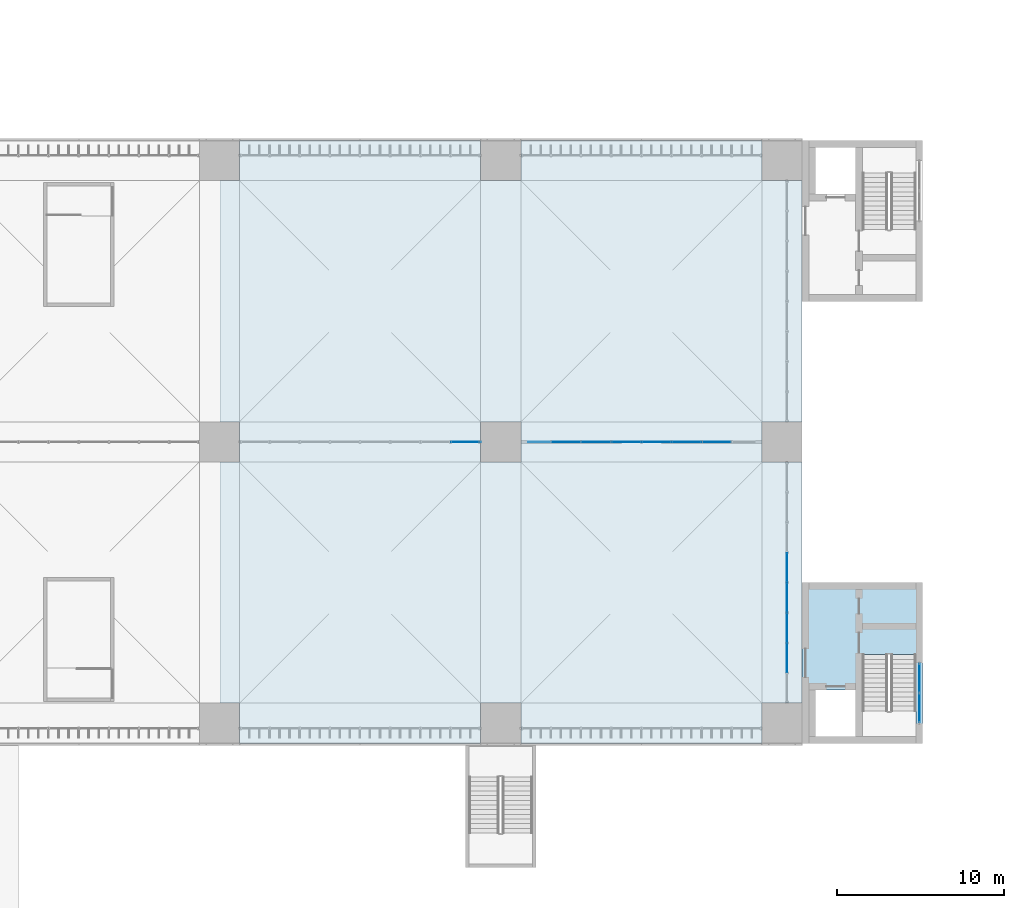
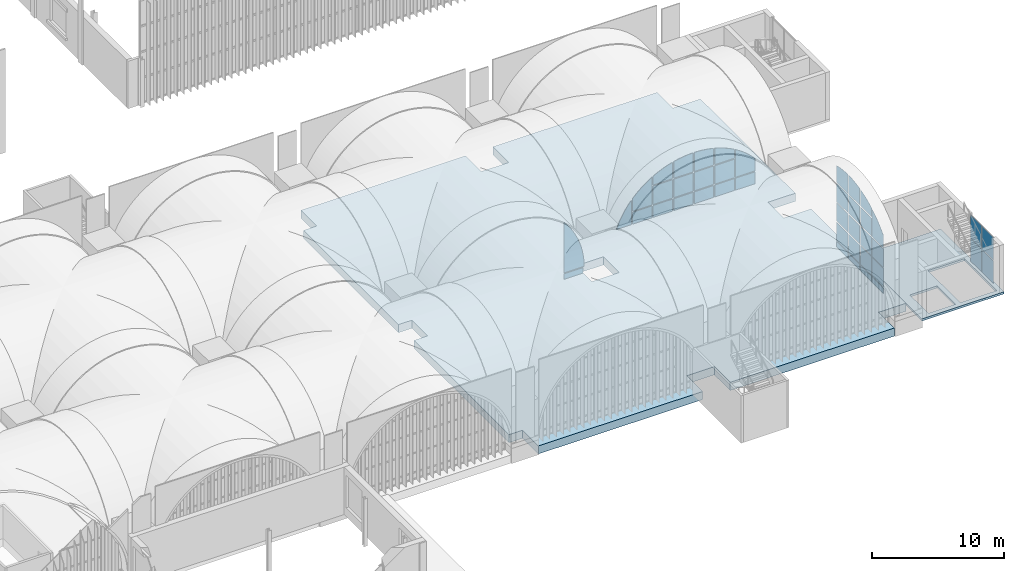
# One storey, part 92 of 169: 42 plates, 2 slabs, 4 elements without a shape of their own.
"""IFC4 building model written with IfcOpenShell, lengths in metres."""

from ifc_helpers import new_model, si_unit, direction, frame, origin, origin_2d, place, context, subcontext, project, spatial, polyline, rectangle, outline, extrude, material, layer, layer_set, type_object, element, aggregate, save


model = new_model("IFC4")

# Units and contexts
model_context = context("Model", 3, precision=1e-05, world=origin(), true_north=direction((0.0, 1.0)))
body_context = subcontext(model_context, "Body", "Model", "MODEL_VIEW")
ifc_project = project(units=[si_unit("LENGTHUNIT", "METRE"), si_unit("AREAUNIT", "SQUARE_METRE"), si_unit("VOLUMEUNIT", "CUBIC_METRE"), si_unit("PLANEANGLEUNIT", "RADIAN"), si_unit("MASSUNIT", "GRAM", prefix="KILO")], contexts=[model_context])

# Site, building, storey
site_placement = place(None, origin())
site = spatial("IfcSite", under=ifc_project, at=site_placement, CompositionType="ELEMENT")
building_placement = place(site_placement, origin())
building = spatial("IfcBuilding", under=site, at=building_placement, Name="Verrick Yard Athletic Hall", CompositionType="ELEMENT")
storey_placement = place(building_placement, frame((0.0, 0.0, 4.39990234375)))
storey = spatial("IfcBuildingStorey", under=building, at=storey_placement, Name="L01", CompositionType="ELEMENT", Elevation=4.39990234375)

# Slab
ifc_material_1 = material(Name="Concrete 35 MPa", Category="concrete")
ifc_layer_1 = layer(ifc_material_1, 0.199951171875)
ifc_layer_set_1 = layer_set([ifc_layer_1], Name="Core floor slab 200")
slab_type_1 = type_object("IfcSlabType", Name="Core floor slab 200", PredefinedType="FLOOR", material=ifc_layer_set_1)
slab_1_placement = place(storey_placement, frame((0.0, 0.0, -0.199951171875)))
element("IfcSlab", 1, at=slab_1_placement, inside=storey, type_object=slab_type_1, Name="CORE-CB3-FLR-L01", PredefinedType="FLOOR", context=body_context, shape_type="SweptSolid", body=[
    extrude(outline(polyline([(158.800048828125, 18.0), (166.0, 18.0), (166.0, 27.60009765625), (158.800048828125, 27.60009765625), (158.800048828125, 18.0)]), holes=[polyline([(162.403076171875, 23.297119140625), (165.596923828125, 23.297119140625), (165.596923828125, 18.403076171875), (162.403076171875, 18.403076171875), (162.403076171875, 23.297119140625)]), polyline([(159.60302734375, 18.403076171875), (159.60302734375, 21.197021484375), (161.9970703125, 21.197021484375), (161.9970703125, 18.403076171875), (159.60302734375, 18.403076171875)])]), origin(), (0.0, 0.0, 1.0), 0.199951171875),
])

# Curtain wall, plates
ifc_material_2 = material(Name="Aluminium 6063-T5", Category="aluminium")
curtain_wall_type_1 = type_object("IfcCurtainWallType", Name="Core glazing strip", PredefinedType="NOTDEFINED", material=ifc_material_2)
curtain_wall_1_placement = place(storey_placement, origin())
curtain_wall_1 = element("IfcCurtainWall", 2, at=curtain_wall_1_placement, inside=storey, type_object=curtain_wall_type_1, Name="CORE-CB3-CW-L01", PredefinedType="NOTDEFINED")
ifc_material_3 = material(Name="Glass IGU low-e", Category="glass")
ifc_layer_2 = layer(ifc_material_3, 0.028076171875)
ifc_layer_set_2 = layer_set([ifc_layer_2], Name="Core glazing panel 28")
plate_type_1 = type_object("IfcPlateType", Name="Core glazing panel 28", PredefinedType="CURTAIN_PANEL", material=ifc_layer_set_2)
plate_1_placement = place(storey_placement, frame((165.800048828125, 20.114990234375, 0.06005859375), z_axis=(0.0, 0.0, 1.0), x_axis=(0.0, 1.0, 0.0)))
plate_1 = element("IfcPlate", 3, at=plate_1_placement, type_object=plate_type_1, Name="CW5 panel 1.1", PredefinedType="CURTAIN_PANEL", context=body_context, shape_type="SweptSolid", body=[
    extrude(rectangle(XDim=1.7099609375, YDim=0.028076171875, at=origin_2d()), origin(), (0.0, 0.0, 1.0), 2.110107421875),
])
plate_2_placement = place(storey_placement, frame((165.800048828125, 20.114990234375, 2.22998046875), z_axis=(0.0, 0.0, 1.0), x_axis=(0.0, 1.0, 0.0)))
plate_2 = element("IfcPlate", 4, at=plate_2_placement, type_object=plate_type_1, Name="CW5 panel 1.2", PredefinedType="CURTAIN_PANEL", context=body_context, shape_type="SweptSolid", body=[
    extrude(rectangle(XDim=1.7099609375, YDim=0.028076171875, at=origin_2d()), origin(), (0.0, 0.0, 1.0), 2.110107421875),
])
plate_3_placement = place(storey_placement, frame((165.800048828125, 21.885009765625, 0.06005859375), z_axis=(0.0, 0.0, 1.0), x_axis=(0.0, 1.0, 0.0)))
plate_3 = element("IfcPlate", 5, at=plate_3_placement, type_object=plate_type_1, Name="CW5 panel 2.1", PredefinedType="CURTAIN_PANEL", context=body_context, shape_type="SweptSolid", body=[
    extrude(rectangle(XDim=1.7099609375, YDim=0.028076171875, at=origin_2d()), origin(), (0.0, 0.0, 1.0), 2.110107421875),
])
plate_4_placement = place(storey_placement, frame((165.800048828125, 21.885009765625, 2.22998046875), z_axis=(0.0, 0.0, 1.0), x_axis=(0.0, 1.0, 0.0)))
plate_4 = element("IfcPlate", 6, at=plate_4_placement, type_object=plate_type_1, Name="CW5 panel 2.2", PredefinedType="CURTAIN_PANEL", context=body_context, shape_type="SweptSolid", body=[
    extrude(rectangle(XDim=1.7099609375, YDim=0.028076171875, at=origin_2d()), origin(), (0.0, 0.0, 1.0), 2.110107421875),
])
aggregate(curtain_wall_1, [plate_1, plate_2, plate_3, plate_4])

ifc_material_4 = material(Name="Aluminium and glass curtain wall", Category="aluminium")
ifc_layer_3 = layer(ifc_material_4, 0.14990234375)
ifc_layer_set_3 = layer_set([ifc_layer_3], Name="Concourse arch screen")
curtain_wall_type_2 = type_object("IfcCurtainWallType", Name="Concourse arch screen", PredefinedType="NOTDEFINED", material=ifc_layer_set_3)
curtain_wall_2_placement = place(storey_placement, origin())
curtain_wall_2 = element("IfcCurtainWall", 7, at=curtain_wall_2_placement, inside=storey, type_object=curtain_wall_type_2, Name="Concourse screen 6", PredefinedType="NOTDEFINED")
ifc_material_5 = material(Name="Laminated glass 28 mm", Category="glass")
ifc_layer_4 = layer(ifc_material_5, 0.028076171875)
ifc_layer_set_4 = layer_set([ifc_layer_4], Name="Curtain wall glass panel")
plate_type_2 = type_object("IfcPlateType", Name="Curtain wall glass panel", PredefinedType="CURTAIN_PANEL", material=ifc_layer_set_4)
plate_5_placement = place(storey_placement, frame((125.199951171875, 36.0, 0.101806640625), z_axis=(0.0, 0.0, 1.0), x_axis=(1.0, 0.0, 0.0)))
plate_5 = element("IfcPlate", 8, at=plate_5_placement, type_object=plate_type_2, Name="Concourse screen 6 panel 31", PredefinedType="CURTAIN_PANEL", context=body_context, shape_type="SweptSolid", body=[
    extrude(outline(polyline([(14.2978515625, 0.0), (14.2978515625, 0.49755859375), (12.65087890625, 0.49755859375), (12.65087890625, 0.0), (14.2978515625, 0.0)])), frame((0.0, 0.01416015625, 0.0), z_axis=(0.0, -1.0, 0.0), x_axis=(1.0, 0.0, 0.0)), (0.0, 0.0, 1.0), 0.028076171875),
])
plate_6_placement = place(storey_placement, frame((125.199951171875, 36.0, 0.700927734375), z_axis=(0.0, 0.0, 1.0), x_axis=(1.0, 0.0, 0.0)))
plate_6 = element("IfcPlate", 9, at=plate_6_placement, type_object=plate_type_2, Name="Concourse screen 6 panel 32", PredefinedType="CURTAIN_PANEL", context=body_context, shape_type="SweptSolid", body=[
    extrude(outline(polyline([(14.39892578125, 0.0), (14.39306640625, 0.26318359375), (14.37255859375, 0.57666015625), (14.33837890625, 0.888916015625), (14.29052734375, 1.199462890625), (14.229248046875, 1.507568359375), (14.15478515625, 1.812744140625), (14.06689453125, 2.1142578125), (13.9658203125, 2.41162109375), (13.851806640625, 2.70458984375), (13.725341796875, 2.9921875), (13.58642578125, 3.273681640625), (13.435302734375, 3.549072265625), (13.2724609375, 3.81787109375), (13.097900390625, 4.078857421875), (12.912109375, 4.332275390625), (12.715576171875, 4.5771484375), (12.65087890625, 4.651123046875), (12.65087890625, 0.0), (14.39892578125, 0.0)])), frame((0.0, 0.01416015625, 0.0), z_axis=(0.0, -1.0, 0.0), x_axis=(1.0, 0.0, 0.0)), (0.0, 0.0, 1.0), 0.028076171875),
])
aggregate(curtain_wall_2, [plate_5, plate_6])

ifc_layer_5 = layer(ifc_material_4, 0.14990234375)
ifc_layer_set_5 = layer_set([ifc_layer_5], Name="Concourse door screen arch")
curtain_wall_type_3 = type_object("IfcCurtainWallType", Name="Concourse door screen arch", PredefinedType="NOTDEFINED", material=ifc_layer_set_5)
curtain_wall_3_placement = place(storey_placement, origin())
curtain_wall_3 = element("IfcCurtainWall", 10, at=curtain_wall_3_placement, inside=storey, type_object=curtain_wall_type_3, Name="Concourse screen 7", PredefinedType="NOTDEFINED")
plate_7_placement = place(storey_placement, frame((142.0, 36.0, 3.101806640625), z_axis=(0.0, 0.0, 1.0), x_axis=(1.0, 0.0, 0.0)))
plate_7 = element("IfcPlate", 11, at=plate_7_placement, type_object=plate_type_2, Name="Concourse screen 7 panel 1", PredefinedType="CURTAIN_PANEL", context=body_context, shape_type="SweptSolid", body=[
    extrude(outline(polyline([(1.749267578125, 2.250244140625), (1.6845703125, 2.17626953125), (1.48779296875, 1.931396484375), (1.302001953125, 1.677978515625), (1.127685546875, 1.4169921875), (0.964599609375, 1.148193359375), (0.8134765625, 0.872802734375), (0.674560546875, 0.59130859375), (0.548095703125, 0.3037109375), (0.43408203125, 0.0107421875), (0.430419921875, 0.0), (1.749267578125, 0.0), (1.749267578125, 2.250244140625)])), frame((0.0, 0.01416015625, 0.0), z_axis=(0.0, -1.0, 0.0), x_axis=(1.0, 0.0, 0.0)), (0.0, 0.0, 1.0), 0.028076171875),
])
plate_8_placement = place(storey_placement, frame((142.0, 36.0, 3.101806640625), z_axis=(0.0, 0.0, 1.0), x_axis=(1.0, 0.0, 0.0)))
plate_8 = element("IfcPlate", 12, at=plate_8_placement, type_object=plate_type_2, Name="Concourse screen 7 panel 2", PredefinedType="CURTAIN_PANEL", context=body_context, shape_type="SweptSolid", body=[
    extrude(outline(polyline([(3.54931640625, 0.0), (3.54931640625, 1.097412109375), (1.850830078125, 1.097412109375), (1.850830078125, 0.0), (3.54931640625, 0.0)])), frame((0.0, 0.01416015625, 0.0), z_axis=(0.0, -1.0, 0.0), x_axis=(1.0, 0.0, 0.0)), (0.0, 0.0, 1.0), 0.028076171875),
])
plate_9_placement = place(storey_placement, frame((142.0, 36.0, 4.30078125), z_axis=(0.0, 0.0, 1.0), x_axis=(1.0, 0.0, 0.0)))
plate_9 = element("IfcPlate", 13, at=plate_9_placement, type_object=plate_type_2, Name="Concourse screen 7 panel 3", PredefinedType="CURTAIN_PANEL", context=body_context, shape_type="SweptSolid", body=[
    extrude(outline(polyline([(3.54931640625, 2.553955078125), (3.331298828125, 2.421630859375), (3.0703125, 2.247314453125), (2.81689453125, 2.0615234375), (2.572021484375, 1.86474609375), (2.335693359375, 1.65771484375), (2.10888671875, 1.4404296875), (1.8916015625, 1.213623046875), (1.850830078125, 1.1669921875), (1.850830078125, 0.0), (3.54931640625, 0.0), (3.54931640625, 2.553955078125)])), frame((0.0, 0.01416015625, 0.0), z_axis=(0.0, -1.0, 0.0), x_axis=(1.0, 0.0, 0.0)), (0.0, 0.0, 1.0), 0.028076171875),
])
plate_10_placement = place(storey_placement, frame((142.0, 36.0, 3.101806640625), z_axis=(0.0, 0.0, 1.0), x_axis=(1.0, 0.0, 0.0)))
plate_10 = element("IfcPlate", 14, at=plate_10_placement, type_object=plate_type_2, Name="Concourse screen 7 panel 4", PredefinedType="CURTAIN_PANEL", context=body_context, shape_type="SweptSolid", body=[
    extrude(outline(polyline([(5.34912109375, 0.0), (5.34912109375, 1.097412109375), (3.65087890625, 1.097412109375), (3.65087890625, 0.0), (5.34912109375, 0.0)])), frame((0.0, 0.01416015625, 0.0), z_axis=(0.0, -1.0, 0.0), x_axis=(1.0, 0.0, 0.0)), (0.0, 0.0, 1.0), 0.028076171875),
])
plate_11_placement = place(storey_placement, frame((142.0, 36.0, 4.30078125), z_axis=(0.0, 0.0, 1.0), x_axis=(1.0, 0.0, 0.0)))
plate_11 = element("IfcPlate", 15, at=plate_11_placement, type_object=plate_type_2, Name="Concourse screen 7 panel 5", PredefinedType="CURTAIN_PANEL", context=body_context, shape_type="SweptSolid", body=[
    extrude(outline(polyline([(5.34912109375, 0.0), (5.34912109375, 1.698486328125), (3.65087890625, 1.698486328125), (3.65087890625, 0.0), (5.34912109375, 0.0)])), frame((0.0, 0.01416015625, 0.0), z_axis=(0.0, -1.0, 0.0), x_axis=(1.0, 0.0, 0.0)), (0.0, 0.0, 1.0), 0.028076171875),
])
plate_12_placement = place(storey_placement, frame((142.0, 36.0, 6.100830078125), z_axis=(0.0, 0.0, 1.0), x_axis=(1.0, 0.0, 0.0)))
plate_12 = element("IfcPlate", 16, at=plate_12_placement, type_object=plate_type_2, Name="Concourse screen 7 panel 6", PredefinedType="CURTAIN_PANEL", context=body_context, shape_type="SweptSolid", body=[
    extrude(outline(polyline([(5.34912109375, 1.507080078125), (5.33642578125, 1.50390625), (5.034912109375, 1.416015625), (4.737548828125, 1.315185546875), (4.444580078125, 1.201171875), (4.156982421875, 1.07470703125), (3.87548828125, 0.935791015625), (3.65087890625, 0.8125), (3.65087890625, 0.0), (5.34912109375, 0.0), (5.34912109375, 1.507080078125)])), frame((0.0, 0.01416015625, 0.0), z_axis=(0.0, -1.0, 0.0), x_axis=(1.0, 0.0, 0.0)), (0.0, 0.0, 1.0), 0.028076171875),
])
plate_13_placement = place(storey_placement, frame((142.0, 36.0, 3.101806640625), z_axis=(0.0, 0.0, 1.0), x_axis=(1.0, 0.0, 0.0)))
plate_13 = element("IfcPlate", 17, at=plate_13_placement, type_object=plate_type_2, Name="Concourse screen 7 panel 7", PredefinedType="CURTAIN_PANEL", context=body_context, shape_type="SweptSolid", body=[
    extrude(outline(polyline([(7.149169921875, 0.0), (7.149169921875, 1.097412109375), (5.45068359375, 1.097412109375), (5.45068359375, 0.0), (7.149169921875, 0.0)])), frame((0.0, 0.01416015625, 0.0), z_axis=(0.0, -1.0, 0.0), x_axis=(1.0, 0.0, 0.0)), (0.0, 0.0, 1.0), 0.028076171875),
])
plate_14_placement = place(storey_placement, frame((142.0, 36.0, 4.30078125), z_axis=(0.0, 0.0, 1.0), x_axis=(1.0, 0.0, 0.0)))
plate_14 = element("IfcPlate", 18, at=plate_14_placement, type_object=plate_type_2, Name="Concourse screen 7 panel 8", PredefinedType="CURTAIN_PANEL", context=body_context, shape_type="SweptSolid", body=[
    extrude(outline(polyline([(7.149169921875, 0.0), (7.149169921875, 1.698486328125), (5.45068359375, 1.698486328125), (5.45068359375, 0.0), (7.149169921875, 0.0)])), frame((0.0, 0.01416015625, 0.0), z_axis=(0.0, -1.0, 0.0), x_axis=(1.0, 0.0, 0.0)), (0.0, 0.0, 1.0), 0.028076171875),
])
plate_15_placement = place(storey_placement, frame((142.0, 36.0, 6.100830078125), z_axis=(0.0, 0.0, 1.0), x_axis=(1.0, 0.0, 0.0)))
plate_15 = element("IfcPlate", 19, at=plate_15_placement, type_object=plate_type_2, Name="Concourse screen 7 panel 9", PredefinedType="CURTAIN_PANEL", context=body_context, shape_type="SweptSolid", body=[
    extrude(outline(polyline([(7.149169921875, 1.748046875), (6.885986328125, 1.742431640625), (6.572509765625, 1.721923828125), (6.26025390625, 1.687744140625), (5.94970703125, 1.639892578125), (5.6416015625, 1.57861328125), (5.45068359375, 1.531982421875), (5.45068359375, 0.0), (7.149169921875, 0.0), (7.149169921875, 1.748046875)])), frame((0.0, 0.01416015625, 0.0), z_axis=(0.0, -1.0, 0.0), x_axis=(1.0, 0.0, 0.0)), (0.0, 0.0, 1.0), 0.028076171875),
])
plate_16_placement = place(storey_placement, frame((142.0, 36.0, 3.101806640625), z_axis=(0.0, 0.0, 1.0), x_axis=(1.0, 0.0, 0.0)))
plate_16 = element("IfcPlate", 20, at=plate_16_placement, type_object=plate_type_2, Name="Concourse screen 7 panel 10", PredefinedType="CURTAIN_PANEL", context=body_context, shape_type="SweptSolid", body=[
    extrude(outline(polyline([(8.94921875, 0.0), (8.94921875, 1.097412109375), (7.250732421875, 1.097412109375), (7.250732421875, 0.0), (8.94921875, 0.0)])), frame((0.0, 0.01416015625, 0.0), z_axis=(0.0, -1.0, 0.0), x_axis=(1.0, 0.0, 0.0)), (0.0, 0.0, 1.0), 0.028076171875),
])
plate_17_placement = place(storey_placement, frame((142.0, 36.0, 4.30078125), z_axis=(0.0, 0.0, 1.0), x_axis=(1.0, 0.0, 0.0)))
plate_17 = element("IfcPlate", 21, at=plate_17_placement, type_object=plate_type_2, Name="Concourse screen 7 panel 11", PredefinedType="CURTAIN_PANEL", context=body_context, shape_type="SweptSolid", body=[
    extrude(outline(polyline([(8.94921875, 0.0), (8.94921875, 1.698486328125), (7.250732421875, 1.698486328125), (7.250732421875, 0.0), (8.94921875, 0.0)])), frame((0.0, 0.01416015625, 0.0), z_axis=(0.0, -1.0, 0.0), x_axis=(1.0, 0.0, 0.0)), (0.0, 0.0, 1.0), 0.028076171875),
])
plate_18_placement = place(storey_placement, frame((142.0, 36.0, 6.100830078125), z_axis=(0.0, 0.0, 1.0), x_axis=(1.0, 0.0, 0.0)))
plate_18 = element("IfcPlate", 22, at=plate_18_placement, type_object=plate_type_2, Name="Concourse screen 7 panel 12", PredefinedType="CURTAIN_PANEL", context=body_context, shape_type="SweptSolid", body=[
    extrude(outline(polyline([(8.94921875, 1.531982421875), (8.75830078125, 1.57861328125), (8.4501953125, 1.639892578125), (8.139892578125, 1.687744140625), (7.827392578125, 1.721923828125), (7.51416015625, 1.742431640625), (7.250732421875, 1.748046875), (7.250732421875, 0.0), (8.94921875, 0.0), (8.94921875, 1.531982421875)])), frame((0.0, 0.01416015625, 0.0), z_axis=(0.0, -1.0, 0.0), x_axis=(1.0, 0.0, 0.0)), (0.0, 0.0, 1.0), 0.028076171875),
])
plate_19_placement = place(storey_placement, frame((142.0, 36.0, 3.101806640625), z_axis=(0.0, 0.0, 1.0), x_axis=(1.0, 0.0, 0.0)))
plate_19 = element("IfcPlate", 23, at=plate_19_placement, type_object=plate_type_2, Name="Concourse screen 7 panel 13", PredefinedType="CURTAIN_PANEL", context=body_context, shape_type="SweptSolid", body=[
    extrude(outline(polyline([(10.749267578125, 0.0), (10.749267578125, 1.097412109375), (9.05078125, 1.097412109375), (9.05078125, 0.0), (10.749267578125, 0.0)])), frame((0.0, 0.01416015625, 0.0), z_axis=(0.0, -1.0, 0.0), x_axis=(1.0, 0.0, 0.0)), (0.0, 0.0, 1.0), 0.028076171875),
])
plate_20_placement = place(storey_placement, frame((142.0, 36.0, 4.30078125), z_axis=(0.0, 0.0, 1.0), x_axis=(1.0, 0.0, 0.0)))
plate_20 = element("IfcPlate", 24, at=plate_20_placement, type_object=plate_type_2, Name="Concourse screen 7 panel 14", PredefinedType="CURTAIN_PANEL", context=body_context, shape_type="SweptSolid", body=[
    extrude(outline(polyline([(10.749267578125, 0.0), (10.749267578125, 1.698486328125), (9.05078125, 1.698486328125), (9.05078125, 0.0), (10.749267578125, 0.0)])), frame((0.0, 0.01416015625, 0.0), z_axis=(0.0, -1.0, 0.0), x_axis=(1.0, 0.0, 0.0)), (0.0, 0.0, 1.0), 0.028076171875),
])
plate_21_placement = place(storey_placement, frame((142.0, 36.0, 6.100830078125), z_axis=(0.0, 0.0, 1.0), x_axis=(1.0, 0.0, 0.0)))
plate_21 = element("IfcPlate", 25, at=plate_21_placement, type_object=plate_type_2, Name="Concourse screen 7 panel 15", PredefinedType="CURTAIN_PANEL", context=body_context, shape_type="SweptSolid", body=[
    extrude(outline(polyline([(10.749267578125, 0.8125), (10.524658203125, 0.935791015625), (10.242919921875, 1.07470703125), (9.955322265625, 1.201171875), (9.66259765625, 1.315185546875), (9.364990234375, 1.416015625), (9.0634765625, 1.50390625), (9.05078125, 1.507080078125), (9.05078125, 0.0), (10.749267578125, 0.0), (10.749267578125, 0.8125)])), frame((0.0, 0.01416015625, 0.0), z_axis=(0.0, -1.0, 0.0), x_axis=(1.0, 0.0, 0.0)), (0.0, 0.0, 1.0), 0.028076171875),
])
plate_22_placement = place(storey_placement, frame((142.0, 36.0, 3.101806640625), z_axis=(0.0, 0.0, 1.0), x_axis=(1.0, 0.0, 0.0)))
plate_22 = element("IfcPlate", 26, at=plate_22_placement, type_object=plate_type_2, Name="Concourse screen 7 panel 16", PredefinedType="CURTAIN_PANEL", context=body_context, shape_type="SweptSolid", body=[
    extrude(outline(polyline([(12.54931640625, 0.0), (12.54931640625, 1.097412109375), (10.850830078125, 1.097412109375), (10.850830078125, 0.0), (12.54931640625, 0.0)])), frame((0.0, 0.01416015625, 0.0), z_axis=(0.0, -1.0, 0.0), x_axis=(1.0, 0.0, 0.0)), (0.0, 0.0, 1.0), 0.028076171875),
])
plate_23_placement = place(storey_placement, frame((142.0, 36.0, 4.30078125), z_axis=(0.0, 0.0, 1.0), x_axis=(1.0, 0.0, 0.0)))
plate_23 = element("IfcPlate", 27, at=plate_23_placement, type_object=plate_type_2, Name="Concourse screen 7 panel 17", PredefinedType="CURTAIN_PANEL", context=body_context, shape_type="SweptSolid", body=[
    extrude(outline(polyline([(12.54931640625, 1.1669921875), (12.50830078125, 1.213623046875), (12.291259765625, 1.4404296875), (12.064208984375, 1.65771484375), (11.828125, 1.86474609375), (11.5830078125, 2.0615234375), (11.329833984375, 2.247314453125), (11.068603515625, 2.421630859375), (10.850830078125, 2.553955078125), (10.850830078125, 0.0), (12.54931640625, 0.0), (12.54931640625, 1.1669921875)])), frame((0.0, 0.01416015625, 0.0), z_axis=(0.0, -1.0, 0.0), x_axis=(1.0, 0.0, 0.0)), (0.0, 0.0, 1.0), 0.028076171875),
])
aggregate(curtain_wall_3, [plate_7, plate_8, plate_9, plate_10, plate_11, plate_12, plate_13, plate_14, plate_15, plate_16, plate_17, plate_18, plate_19, plate_20, plate_21, plate_22, plate_23])

ifc_layer_6 = layer(ifc_material_4, 0.14990234375)
ifc_layer_set_6 = layer_set([ifc_layer_6], Name="East end glazing arch")
curtain_wall_type_4 = type_object("IfcCurtainWallType", Name="East end glazing arch", PredefinedType="NOTDEFINED", material=ifc_layer_set_6)
curtain_wall_4_placement = place(storey_placement, origin())
curtain_wall_4 = element("IfcCurtainWall", 28, at=curtain_wall_4_placement, inside=storey, type_object=curtain_wall_type_4, Name="East end glazing 1", PredefinedType="NOTDEFINED")
plate_24_placement = place(storey_placement, frame((157.89990234375, 20.39990234375, 0.101806640625), z_axis=(0.0, 0.0, 1.0), x_axis=(0.0, 1.0, 0.0)))
plate_24 = element("IfcPlate", 29, at=plate_24_placement, type_object=plate_type_2, Name="East end glazing 1 panel 3", PredefinedType="CURTAIN_PANEL", context=body_context, shape_type="SweptSolid", body=[
    extrude(outline(polyline([(3.54931640625, 0.0), (3.54931640625, 0.49755859375), (1.850830078125, 0.49755859375), (1.850830078125, 0.0), (3.54931640625, 0.0)])), frame((0.0, 0.01416015625, 0.0), z_axis=(0.0, -1.0, 0.0), x_axis=(1.0, 0.0, 0.0)), (0.0, 0.0, 1.0), 0.028076171875),
])
plate_25_placement = place(storey_placement, frame((157.89990234375, 20.39990234375, 0.700927734375), z_axis=(0.0, 0.0, 1.0), x_axis=(0.0, 1.0, 0.0)))
plate_25 = element("IfcPlate", 30, at=plate_25_placement, type_object=plate_type_2, Name="East end glazing 1 panel 4", PredefinedType="CURTAIN_PANEL", context=body_context, shape_type="SweptSolid", body=[
    extrude(outline(polyline([(3.54931640625, 0.0), (3.54931640625, 1.698486328125), (1.850830078125, 1.698486328125), (1.850830078125, 0.0), (3.54931640625, 0.0)])), frame((0.0, 0.01416015625, 0.0), z_axis=(0.0, -1.0, 0.0), x_axis=(1.0, 0.0, 0.0)), (0.0, 0.0, 1.0), 0.028076171875),
])
plate_26_placement = place(storey_placement, frame((157.89990234375, 20.39990234375, 2.5009765625), z_axis=(0.0, 0.0, 1.0), x_axis=(0.0, 1.0, 0.0)))
plate_26 = element("IfcPlate", 31, at=plate_26_placement, type_object=plate_type_2, Name="East end glazing 1 panel 5", PredefinedType="CURTAIN_PANEL", context=body_context, shape_type="SweptSolid", body=[
    extrude(outline(polyline([(3.54931640625, 0.0), (3.54931640625, 1.6982421875), (1.850830078125, 1.6982421875), (1.850830078125, 0.0), (3.54931640625, 0.0)])), frame((0.0, 0.01416015625, 0.0), z_axis=(0.0, -1.0, 0.0), x_axis=(1.0, 0.0, 0.0)), (0.0, 0.0, 1.0), 0.028076171875),
])
plate_27_placement = place(storey_placement, frame((157.89990234375, 20.39990234375, 4.30078125), z_axis=(0.0, 0.0, 1.0), x_axis=(0.0, 1.0, 0.0)))
plate_27 = element("IfcPlate", 32, at=plate_27_placement, type_object=plate_type_2, Name="East end glazing 1 panel 6", PredefinedType="CURTAIN_PANEL", context=body_context, shape_type="SweptSolid", body=[
    extrude(outline(polyline([(3.54931640625, 2.553955078125), (3.331298828125, 2.421630859375), (3.0703125, 2.247314453125), (2.81689453125, 2.0615234375), (2.572021484375, 1.86474609375), (2.335693359375, 1.65771484375), (2.10888671875, 1.4404296875), (1.8916015625, 1.213623046875), (1.850830078125, 1.1669921875), (1.850830078125, 0.0), (3.54931640625, 0.0), (3.54931640625, 2.553955078125)])), frame((0.0, 0.01416015625, 0.0), z_axis=(0.0, -1.0, 0.0), x_axis=(1.0, 0.0, 0.0)), (0.0, 0.0, 1.0), 0.028076171875),
])
plate_28_placement = place(storey_placement, frame((157.89990234375, 20.39990234375, 0.101806640625), z_axis=(0.0, 0.0, 1.0), x_axis=(0.0, 1.0, 0.0)))
plate_28 = element("IfcPlate", 33, at=plate_28_placement, type_object=plate_type_2, Name="East end glazing 1 panel 7", PredefinedType="CURTAIN_PANEL", context=body_context, shape_type="SweptSolid", body=[
    extrude(outline(polyline([(5.34912109375, 0.0), (5.34912109375, 0.49755859375), (3.65087890625, 0.49755859375), (3.65087890625, 0.0), (5.34912109375, 0.0)])), frame((0.0, 0.01416015625, 0.0), z_axis=(0.0, -1.0, 0.0), x_axis=(1.0, 0.0, 0.0)), (0.0, 0.0, 1.0), 0.028076171875),
])
plate_29_placement = place(storey_placement, frame((157.89990234375, 20.39990234375, 0.700927734375), z_axis=(0.0, 0.0, 1.0), x_axis=(0.0, 1.0, 0.0)))
plate_29 = element("IfcPlate", 34, at=plate_29_placement, type_object=plate_type_2, Name="East end glazing 1 panel 8", PredefinedType="CURTAIN_PANEL", context=body_context, shape_type="SweptSolid", body=[
    extrude(outline(polyline([(5.34912109375, 0.0), (5.34912109375, 1.698486328125), (3.65087890625, 1.698486328125), (3.65087890625, 0.0), (5.34912109375, 0.0)])), frame((0.0, 0.01416015625, 0.0), z_axis=(0.0, -1.0, 0.0), x_axis=(1.0, 0.0, 0.0)), (0.0, 0.0, 1.0), 0.028076171875),
])
plate_30_placement = place(storey_placement, frame((157.89990234375, 20.39990234375, 2.5009765625), z_axis=(0.0, 0.0, 1.0), x_axis=(0.0, 1.0, 0.0)))
plate_30 = element("IfcPlate", 35, at=plate_30_placement, type_object=plate_type_2, Name="East end glazing 1 panel 9", PredefinedType="CURTAIN_PANEL", context=body_context, shape_type="SweptSolid", body=[
    extrude(outline(polyline([(5.34912109375, 0.0), (5.34912109375, 1.6982421875), (3.65087890625, 1.6982421875), (3.65087890625, 0.0), (5.34912109375, 0.0)])), frame((0.0, 0.01416015625, 0.0), z_axis=(0.0, -1.0, 0.0), x_axis=(1.0, 0.0, 0.0)), (0.0, 0.0, 1.0), 0.028076171875),
])
plate_31_placement = place(storey_placement, frame((157.89990234375, 20.39990234375, 4.30078125), z_axis=(0.0, 0.0, 1.0), x_axis=(0.0, 1.0, 0.0)))
plate_31 = element("IfcPlate", 36, at=plate_31_placement, type_object=plate_type_2, Name="East end glazing 1 panel 10", PredefinedType="CURTAIN_PANEL", context=body_context, shape_type="SweptSolid", body=[
    extrude(outline(polyline([(5.34912109375, 0.0), (5.34912109375, 1.698486328125), (3.65087890625, 1.698486328125), (3.65087890625, 0.0), (5.34912109375, 0.0)])), frame((0.0, 0.01416015625, 0.0), z_axis=(0.0, -1.0, 0.0), x_axis=(1.0, 0.0, 0.0)), (0.0, 0.0, 1.0), 0.028076171875),
])
plate_32_placement = place(storey_placement, frame((157.89990234375, 20.39990234375, 6.100830078125), z_axis=(0.0, 0.0, 1.0), x_axis=(0.0, 1.0, 0.0)))
plate_32 = element("IfcPlate", 37, at=plate_32_placement, type_object=plate_type_2, Name="East end glazing 1 panel 11", PredefinedType="CURTAIN_PANEL", context=body_context, shape_type="SweptSolid", body=[
    extrude(outline(polyline([(5.34912109375, 1.507080078125), (5.33642578125, 1.50390625), (5.034912109375, 1.416015625), (4.737548828125, 1.315185546875), (4.444580078125, 1.201171875), (4.156982421875, 1.07470703125), (3.87548828125, 0.935791015625), (3.65087890625, 0.8125), (3.65087890625, 0.0), (5.34912109375, 0.0), (5.34912109375, 1.507080078125)])), frame((0.0, 0.01416015625, 0.0), z_axis=(0.0, -1.0, 0.0), x_axis=(1.0, 0.0, 0.0)), (0.0, 0.0, 1.0), 0.028076171875),
])
plate_33_placement = place(storey_placement, frame((157.89990234375, 20.39990234375, 0.101806640625), z_axis=(0.0, 0.0, 1.0), x_axis=(0.0, 1.0, 0.0)))
plate_33 = element("IfcPlate", 38, at=plate_33_placement, type_object=plate_type_2, Name="East end glazing 1 panel 12", PredefinedType="CURTAIN_PANEL", context=body_context, shape_type="SweptSolid", body=[
    extrude(outline(polyline([(7.149169921875, 0.0), (7.149169921875, 0.49755859375), (5.45068359375, 0.49755859375), (5.45068359375, 0.0), (7.149169921875, 0.0)])), frame((0.0, 0.01416015625, 0.0), z_axis=(0.0, -1.0, 0.0), x_axis=(1.0, 0.0, 0.0)), (0.0, 0.0, 1.0), 0.028076171875),
])
plate_34_placement = place(storey_placement, frame((157.89990234375, 20.39990234375, 0.700927734375), z_axis=(0.0, 0.0, 1.0), x_axis=(0.0, 1.0, 0.0)))
plate_34 = element("IfcPlate", 39, at=plate_34_placement, type_object=plate_type_2, Name="East end glazing 1 panel 13", PredefinedType="CURTAIN_PANEL", context=body_context, shape_type="SweptSolid", body=[
    extrude(outline(polyline([(7.149169921875, 0.0), (7.149169921875, 1.698486328125), (5.45068359375, 1.698486328125), (5.45068359375, 0.0), (7.149169921875, 0.0)])), frame((0.0, 0.01416015625, 0.0), z_axis=(0.0, -1.0, 0.0), x_axis=(1.0, 0.0, 0.0)), (0.0, 0.0, 1.0), 0.028076171875),
])
plate_35_placement = place(storey_placement, frame((157.89990234375, 20.39990234375, 2.5009765625), z_axis=(0.0, 0.0, 1.0), x_axis=(0.0, 1.0, 0.0)))
plate_35 = element("IfcPlate", 40, at=plate_35_placement, type_object=plate_type_2, Name="East end glazing 1 panel 14", PredefinedType="CURTAIN_PANEL", context=body_context, shape_type="SweptSolid", body=[
    extrude(outline(polyline([(7.149169921875, 0.0), (7.149169921875, 1.6982421875), (5.45068359375, 1.6982421875), (5.45068359375, 0.0), (7.149169921875, 0.0)])), frame((0.0, 0.01416015625, 0.0), z_axis=(0.0, -1.0, 0.0), x_axis=(1.0, 0.0, 0.0)), (0.0, 0.0, 1.0), 0.028076171875),
])
plate_36_placement = place(storey_placement, frame((157.89990234375, 20.39990234375, 4.30078125), z_axis=(0.0, 0.0, 1.0), x_axis=(0.0, 1.0, 0.0)))
plate_36 = element("IfcPlate", 41, at=plate_36_placement, type_object=plate_type_2, Name="East end glazing 1 panel 15", PredefinedType="CURTAIN_PANEL", context=body_context, shape_type="SweptSolid", body=[
    extrude(outline(polyline([(7.149169921875, 0.0), (7.149169921875, 1.698486328125), (5.45068359375, 1.698486328125), (5.45068359375, 0.0), (7.149169921875, 0.0)])), frame((0.0, 0.01416015625, 0.0), z_axis=(0.0, -1.0, 0.0), x_axis=(1.0, 0.0, 0.0)), (0.0, 0.0, 1.0), 0.028076171875),
])
plate_37_placement = place(storey_placement, frame((157.89990234375, 20.39990234375, 6.100830078125), z_axis=(0.0, 0.0, 1.0), x_axis=(0.0, 1.0, 0.0)))
plate_37 = element("IfcPlate", 42, at=plate_37_placement, type_object=plate_type_2, Name="East end glazing 1 panel 16", PredefinedType="CURTAIN_PANEL", context=body_context, shape_type="SweptSolid", body=[
    extrude(outline(polyline([(7.149169921875, 1.748046875), (6.885986328125, 1.742431640625), (6.572509765625, 1.721923828125), (6.26025390625, 1.687744140625), (5.94970703125, 1.639892578125), (5.6416015625, 1.57861328125), (5.45068359375, 1.531982421875), (5.45068359375, 0.0), (7.149169921875, 0.0), (7.149169921875, 1.748046875)])), frame((0.0, 0.01416015625, 0.0), z_axis=(0.0, -1.0, 0.0), x_axis=(1.0, 0.0, 0.0)), (0.0, 0.0, 1.0), 0.028076171875),
])
plate_38_placement = place(storey_placement, frame((157.89990234375, 20.39990234375, 0.101806640625), z_axis=(0.0, 0.0, 1.0), x_axis=(0.0, 1.0, 0.0)))
plate_38 = element("IfcPlate", 43, at=plate_38_placement, type_object=plate_type_2, Name="East end glazing 1 panel 17", PredefinedType="CURTAIN_PANEL", context=body_context, shape_type="SweptSolid", body=[
    extrude(outline(polyline([(8.94921875, 0.0), (8.94921875, 0.49755859375), (7.250732421875, 0.49755859375), (7.250732421875, 0.0), (8.94921875, 0.0)])), frame((0.0, 0.01416015625, 0.0), z_axis=(0.0, -1.0, 0.0), x_axis=(1.0, 0.0, 0.0)), (0.0, 0.0, 1.0), 0.028076171875),
])
plate_39_placement = place(storey_placement, frame((157.89990234375, 20.39990234375, 0.700927734375), z_axis=(0.0, 0.0, 1.0), x_axis=(0.0, 1.0, 0.0)))
plate_39 = element("IfcPlate", 44, at=plate_39_placement, type_object=plate_type_2, Name="East end glazing 1 panel 18", PredefinedType="CURTAIN_PANEL", context=body_context, shape_type="SweptSolid", body=[
    extrude(outline(polyline([(8.94921875, 0.0), (8.94921875, 1.698486328125), (7.250732421875, 1.698486328125), (7.250732421875, 0.0), (8.94921875, 0.0)])), frame((0.0, 0.01416015625, 0.0), z_axis=(0.0, -1.0, 0.0), x_axis=(1.0, 0.0, 0.0)), (0.0, 0.0, 1.0), 0.028076171875),
])
plate_40_placement = place(storey_placement, frame((157.89990234375, 20.39990234375, 2.5009765625), z_axis=(0.0, 0.0, 1.0), x_axis=(0.0, 1.0, 0.0)))
plate_40 = element("IfcPlate", 45, at=plate_40_placement, type_object=plate_type_2, Name="East end glazing 1 panel 19", PredefinedType="CURTAIN_PANEL", context=body_context, shape_type="SweptSolid", body=[
    extrude(outline(polyline([(8.94921875, 0.0), (8.94921875, 1.6982421875), (7.250732421875, 1.6982421875), (7.250732421875, 0.0), (8.94921875, 0.0)])), frame((0.0, 0.01416015625, 0.0), z_axis=(0.0, -1.0, 0.0), x_axis=(1.0, 0.0, 0.0)), (0.0, 0.0, 1.0), 0.028076171875),
])
plate_41_placement = place(storey_placement, frame((157.89990234375, 20.39990234375, 4.30078125), z_axis=(0.0, 0.0, 1.0), x_axis=(0.0, 1.0, 0.0)))
plate_41 = element("IfcPlate", 46, at=plate_41_placement, type_object=plate_type_2, Name="East end glazing 1 panel 20", PredefinedType="CURTAIN_PANEL", context=body_context, shape_type="SweptSolid", body=[
    extrude(outline(polyline([(8.94921875, 0.0), (8.94921875, 1.698486328125), (7.250732421875, 1.698486328125), (7.250732421875, 0.0), (8.94921875, 0.0)])), frame((0.0, 0.01416015625, 0.0), z_axis=(0.0, -1.0, 0.0), x_axis=(1.0, 0.0, 0.0)), (0.0, 0.0, 1.0), 0.028076171875),
])
plate_42_placement = place(storey_placement, frame((157.89990234375, 20.39990234375, 6.100830078125), z_axis=(0.0, 0.0, 1.0), x_axis=(0.0, 1.0, 0.0)))
plate_42 = element("IfcPlate", 47, at=plate_42_placement, type_object=plate_type_2, Name="East end glazing 1 panel 21", PredefinedType="CURTAIN_PANEL", context=body_context, shape_type="SweptSolid", body=[
    extrude(outline(polyline([(8.94921875, 1.531982421875), (8.75830078125, 1.57861328125), (8.4501953125, 1.639892578125), (8.139892578125, 1.687744140625), (7.827392578125, 1.721923828125), (7.51416015625, 1.742431640625), (7.250732421875, 1.748046875), (7.250732421875, 0.0), (8.94921875, 0.0), (8.94921875, 1.531982421875)])), frame((0.0, 0.01416015625, 0.0), z_axis=(0.0, -1.0, 0.0), x_axis=(1.0, 0.0, 0.0)), (0.0, 0.0, 1.0), 0.028076171875),
])
aggregate(curtain_wall_4, [plate_24, plate_25, plate_26, plate_27, plate_28, plate_29, plate_30, plate_31, plate_32, plate_33, plate_34, plate_35, plate_36, plate_37, plate_38, plate_39, plate_40, plate_41, plate_42])

# Slab
ifc_layer_7 = layer(ifc_material_1, 0.75)
ifc_layer_set_7 = layer_set([ifc_layer_7], Name="STR Flat slab SL2")
slab_type_2 = type_object("IfcSlabType", Name="STR Flat slab SL2", PredefinedType="FLOOR", material=ifc_layer_set_7)
slab_2_placement = place(storey_placement, frame((0.0, 0.0, -0.75)))
element("IfcSlab", 48, at=slab_2_placement, inside=storey, type_object=slab_type_2, Name="STR-SL-L01-Z3", PredefinedType="FLOOR", context=body_context, shape_type="SweptSolid", body=[
    extrude(outline(polyline([(156.39990234375, 20.39990234375), (158.800048828125, 20.39990234375), (158.800048828125, 27.60009765625), (158.800048828125, 34.800048828125), (156.39990234375, 34.800048828125), (156.39990234375, 37.199951171875), (158.800048828125, 37.199951171875), (158.800048828125, 44.39990234375), (158.800048828125, 51.60009765625), (156.39990234375, 51.60009765625), (156.39990234375, 54.0), (142.0, 54.0), (142.0, 51.60009765625), (139.60009765625, 51.60009765625), (139.60009765625, 54.0), (125.199951171875, 54.0), (125.199951171875, 51.60009765625), (124.02490234375, 51.60009765625), (124.02490234375, 37.199951171875), (125.199951171875, 37.199951171875), (125.199951171875, 34.800048828125), (124.02490234375, 34.800048828125), (124.02490234375, 20.39990234375), (125.199951171875, 20.39990234375), (125.199951171875, 18.0), (139.60009765625, 18.0), (139.60009765625, 20.39990234375), (142.0, 20.39990234375), (142.0, 18.0), (156.39990234375, 18.0), (156.39990234375, 20.39990234375)]), holes=[polyline([(139.60009765625, 37.199951171875), (142.0, 37.199951171875), (142.0, 34.800048828125), (139.60009765625, 34.800048828125), (139.60009765625, 37.199951171875)])]), origin(), (0.0, 0.0, 1.0), 0.75),
])

save(model, "model.ifc")
